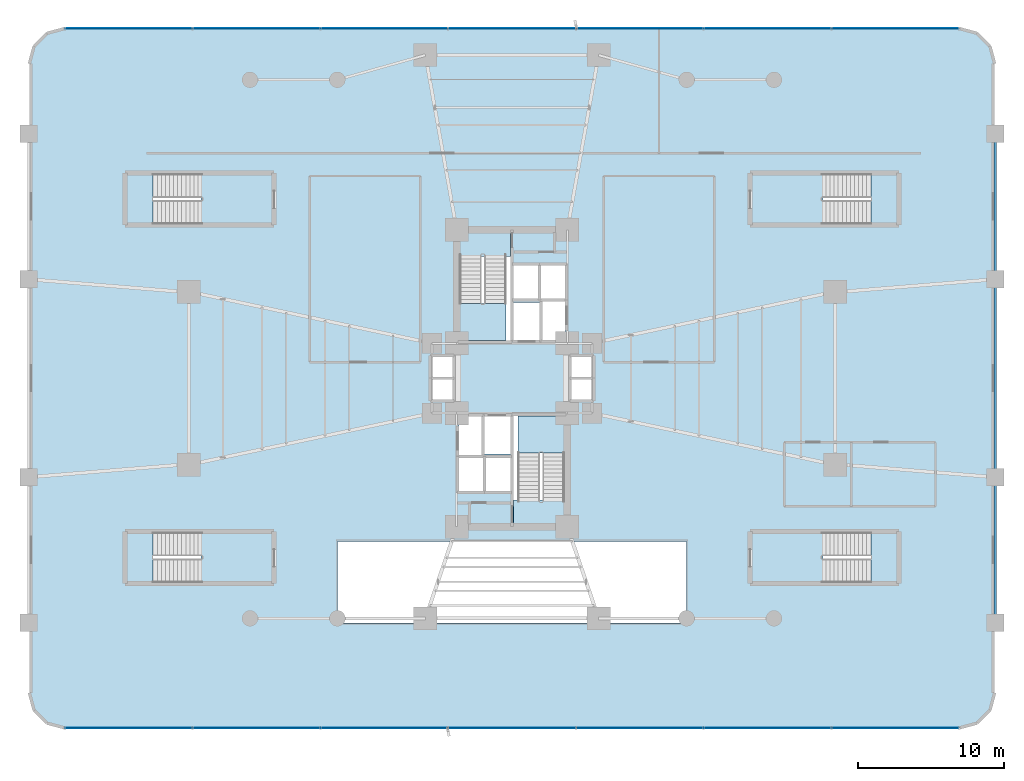
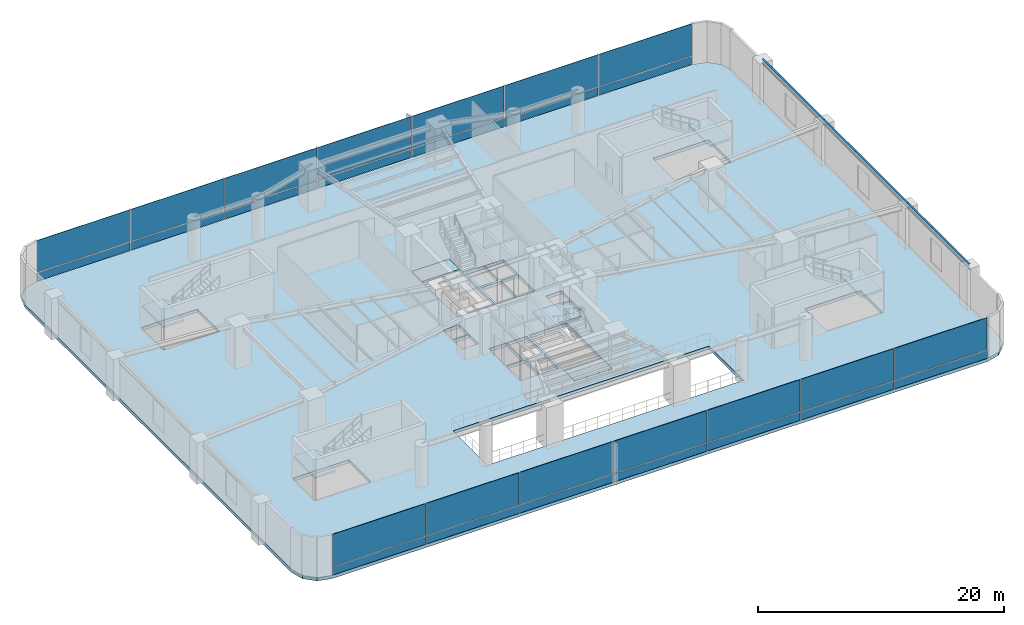
# One storey, part 13 of 23: 28 plates, 9 slabs, 3 beams, 8 elements without a shape of their own.
"""IFC4 building model written with IfcOpenShell, lengths in metres."""

import ifcopenshell
import ifcopenshell.guid

model = None  # the IFC model being written
_history = None  # IfcOwnerHistory: only IFC2X3 demands one
_inside = {}  # id of a spatial element -> (the spatial element, [elements in it])
_under = {}  # id of a project, library or spatial element -> (it, [spatial elements below it])
_declared = {}  # id of a project -> (the project, [libraries it declares])
_typed = {}  # id of a type object -> (the type object, [elements of that type])
_made_of = {}  # id of a material, layer set ... -> (it, [elements and type objects made of it])


def new_model(schema):
    """Start an empty IFC model of exactly this schema.

    Asked for "IFC4X3", IfcOpenShell would pick the latest addendum, in which some entities
    have other attributes; the version numbers below select the first issue.
    IFC2X3 requires an IfcOwnerHistory on every rooted entity: one is made here for all.
    """
    global model, _history
    if schema == "IFC4X3":
        model = ifcopenshell.file(schema_version=(4, 3, 0, 0))
    else:
        model = ifcopenshell.file(schema=schema)
    _inside.clear()
    _under.clear()
    _declared.clear()
    _typed.clear()
    _made_of.clear()
    _history = None
    if model.schema == "IFC2X3":
        org = make("IfcOrganization", Name="unknown")
        user = make(
            "IfcPersonAndOrganization",
            ThePerson=make("IfcPerson", FamilyName="unknown"),
            TheOrganization=org,
        )
        app = make(
            "IfcApplication",
            ApplicationDeveloper=org,
            Version="unknown",
            ApplicationFullName="unknown",
            ApplicationIdentifier="unknown",
        )
        _history = make(
            "IfcOwnerHistory",
            OwningUser=user,
            OwningApplication=app,
            ChangeAction="ADDED",
            CreationDate=0,
        )
    return model


def make(cls, **values):
    """One entity of the class cls with the attributes given. An attribute that is None is left unset."""
    return model.create_entity(
        cls, **{name: value for name, value in values.items() if value is not None}
    )


def rooted(cls, **values):
    """An entity with a GlobalId (a new one), such as an element, a storey or a relation."""
    return make(cls, GlobalId=ifcopenshell.guid.new(), OwnerHistory=_history, **values)


def si_unit(unit_type, name, prefix=None):
    """IfcSIUnit, for example si_unit("LENGTHUNIT", "METRE", prefix="MILLI")."""
    return make("IfcSIUnit", UnitType=unit_type, Prefix=prefix, Name=name)


def assignment(units):
    """IfcUnitAssignment: the units of a project."""
    return None if units is None else make("IfcUnitAssignment", Units=units)


def point(xyz):
    """IfcCartesianPoint."""
    return None if xyz is None else make("IfcCartesianPoint", Coordinates=xyz)


def direction(xyz):
    """IfcDirection."""
    return None if xyz is None else make("IfcDirection", DirectionRatios=xyz)


def frame(location, z_axis=None, x_axis=None):
    """IfcAxis2Placement3D, a coordinate frame: its origin and axes. An axis left out is left unset."""
    return make(
        "IfcAxis2Placement3D",
        Location=point(location),
        Axis=direction(z_axis),
        RefDirection=direction(x_axis),
    )


def frame_2d(location, x_axis=None):
    """IfcAxis2Placement2D, a coordinate frame in the plane: its origin and x axis."""
    return make(
        "IfcAxis2Placement2D", Location=point(location), RefDirection=direction(x_axis)
    )


def origin():
    """The frame at (0, 0, 0) with its axes left unset."""
    return frame((0.0, 0.0, 0.0))


def origin_2d():
    """The frame at (0, 0) in the plane with its x axis left unset."""
    return frame_2d((0.0, 0.0))


def place(relative_to, where):
    """IfcLocalPlacement: puts the frame where relative to a parent placement (None: the world)."""
    return make(
        "IfcLocalPlacement", PlacementRelTo=relative_to, RelativePlacement=where
    )


def context(
    kind, dimensions, precision=None, world=None, true_north=None, identifier=None
):
    """IfcGeometricRepresentationContext, for example the 3D "Model" context."""
    return make(
        "IfcGeometricRepresentationContext",
        ContextIdentifier=identifier,
        ContextType=kind,
        CoordinateSpaceDimension=dimensions,
        Precision=precision,
        WorldCoordinateSystem=world,
        TrueNorth=true_north,
    )


def subcontext(parent, identifier, kind, view, scale=None):
    """IfcGeometricRepresentationSubContext, for example "Body" below "Model"."""
    return make(
        "IfcGeometricRepresentationSubContext",
        ContextIdentifier=identifier,
        ContextType=kind,
        ParentContext=parent,
        TargetScale=scale,
        TargetView=view,
    )


def project(units=None, contexts=None):
    """IfcProject with its units and contexts."""
    return rooted(
        "IfcProject",
        Name="project",
        RepresentationContexts=contexts,
        UnitsInContext=assignment(units),
    )


def spatial(cls, under=None, at=None, **own):
    """A site, building, storey or space (cls), placed at a placement, below another one or the project."""
    s = rooted(cls, ObjectPlacement=at, **own)
    if under is not None:
        _under.setdefault(under.id(), (under, []))[1].append(s)
    return s


def polyline(points):
    """IfcPolyline through the points."""
    return make("IfcPolyline", Points=[point(p) for p in points])


def profile(cls, at=None, kind="AREA", **sizes):
    """A parametric profile (cls). Its sizes go by their IFC names, for example OverallWidth=200.0."""
    return make(cls, ProfileType=kind, Position=at, **sizes)


def rectangle(**sizes):
    """IfcRectangleProfileDef."""
    return profile("IfcRectangleProfileDef", **sizes)


def i_section(**sizes):
    """IfcIShapeProfileDef."""
    return profile("IfcIShapeProfileDef", **sizes)


def outline(outer, holes=None, kind="AREA"):
    """IfcArbitraryClosedProfileDef: a profile drawn as a closed curve; with holes, ...WithVoids."""
    if holes is None:
        return make("IfcArbitraryClosedProfileDef", ProfileType=kind, OuterCurve=outer)
    return make(
        "IfcArbitraryProfileDefWithVoids",
        ProfileType=kind,
        OuterCurve=outer,
        InnerCurves=holes,
    )


def extrude(swept, where, along, depth):
    """IfcExtrudedAreaSolid: the profile swept, set in the frame where, extruded along a direction by depth."""
    return make(
        "IfcExtrudedAreaSolid",
        SweptArea=swept,
        Position=where,
        ExtrudedDirection=direction(along),
        Depth=depth,
    )


def shape(context_of_items, identifier, shape_type, items):
    """IfcShapeRepresentation: the items that make up one representation, for example the "Body"."""
    return make(
        "IfcShapeRepresentation",
        ContextOfItems=context_of_items,
        RepresentationIdentifier=identifier,
        RepresentationType=shape_type,
        Items=items,
    )


def source(mapping_origin, context_of_items, identifier, shape_type, items):
    """IfcRepresentationMap: a shape defined once, which mapped items show again and again."""
    return make(
        "IfcRepresentationMap",
        MappingOrigin=mapping_origin,
        MappedRepresentation=shape(context_of_items, identifier, shape_type, items),
    )


def transform(
    local_origin,
    x_axis=None,
    y_axis=None,
    z_axis=None,
    scale=None,
    scale2=None,
    scale3=None,
    uniform=True,
):
    """IfcCartesianTransformationOperator3D, or its non-uniform kind. x_axis, y_axis, z_axis: its Axis1, 2, 3."""
    if uniform:
        return make(
            "IfcCartesianTransformationOperator3D",
            Axis1=direction(x_axis),
            Axis2=direction(y_axis),
            LocalOrigin=point(local_origin),
            Scale=scale,
            Axis3=direction(z_axis),
        )
    return make(
        "IfcCartesianTransformationOperator3DnonUniform",
        Axis1=direction(x_axis),
        Axis2=direction(y_axis),
        LocalOrigin=point(local_origin),
        Scale=scale,
        Axis3=direction(z_axis),
        Scale2=scale2,
        Scale3=scale3,
    )


def mapped(mapping_source, mapping_target):
    """IfcMappedItem: shows the shape of a source again, moved by a transform."""
    return make(
        "IfcMappedItem", MappingSource=mapping_source, MappingTarget=mapping_target
    )


def material(Name=None, Category=None):
    """IfcMaterial."""
    return make("IfcMaterial", Name=Name, Category=Category)


def layer(
    of_material, thickness, ventilated=None, Name=None, Category=None, Priority=None
):
    """IfcMaterialLayer: one layer of a wall or slab, of a material (None: an air gap)."""
    return make(
        "IfcMaterialLayer",
        Material=of_material,
        LayerThickness=thickness,
        IsVentilated=ventilated,
        Name=Name,
        Category=Category,
        Priority=Priority,
    )


def layer_set(layers, Name=None):
    """IfcMaterialLayerSet."""
    return make("IfcMaterialLayerSet", MaterialLayers=layers, LayerSetName=Name)


def material_profile(
    of_material, cross_section, Name=None, Category=None, Priority=None
):
    """IfcMaterialProfile: a cross section and its material."""
    return make(
        "IfcMaterialProfile",
        Name=Name,
        Material=of_material,
        Profile=cross_section,
        Priority=Priority,
        Category=Category,
    )


def profile_set(profiles, Name=None, composite=None):
    """IfcMaterialProfileSet."""
    return make(
        "IfcMaterialProfileSet",
        Name=Name,
        MaterialProfiles=profiles,
        CompositeProfile=composite,
    )


def made_of(thing, what):
    """Note that an element or type object is made of a material, layer set ...; save() writes the relation."""
    if what is not None:
        _made_of.setdefault(what.id(), (what, []))[1].append(thing)
    return thing


def type_object(cls, material=None, **own):
    """A type object (cls), such as IfcWallType, which elements share."""
    return made_of(rooted(cls, **own), material)


def element(
    cls,
    number,
    at=None,
    inside=None,
    cuts=None,
    type_object=None,
    material=None,
    context=None,
    identifier="Body",
    shape_type=None,
    held_by="IfcProductDefinitionShape",
    body=None,
    shapes=None,
    **own,
):
    """One element of the class cls, such as IfcWall. Its Tag is "e" and its number.

    at: its placement. inside: the storey or other place that contains it. cuts: it is an
    opening in that element (IfcRelVoidsElement). A single representation is given by context,
    identifier, shape_type and body (its items); several are given by shapes. held_by: the class
    of the entity that holds the representations. save() writes the other relations.
    """
    e = rooted(cls, Tag="e%d" % number, ObjectPlacement=at, **own)
    if body is not None:
        shapes = [shape(context, identifier, shape_type, body)]
    if shapes is not None:
        e.Representation = make(held_by, Representations=shapes)
    if inside is not None:
        _inside.setdefault(inside.id(), (inside, []))[1].append(e)
    if cuts is not None:
        rooted(
            "IfcRelVoidsElement", RelatingBuildingElement=cuts, RelatedOpeningElement=e
        )
    if type_object is not None:
        _typed.setdefault(type_object.id(), (type_object, []))[1].append(e)
    return made_of(e, material)


def aggregate(whole, parts):
    """IfcRelAggregates: a whole, such as a stair, and the parts it consists of."""
    return rooted("IfcRelAggregates", RelatingObject=whole, RelatedObjects=parts)


def save(model, path):
    """Write the relations noted so far, then the file.

    IfcRelAggregates (storeys below a building ...), IfcRelContainedInSpatialStructure (elements
    in a storey), IfcRelDefinesByType, IfcRelAssociatesMaterial and IfcRelDeclares: one each for
    every whole, place, type object, material and project.
    """
    for whole, parts in _under.values():
        aggregate(whole, parts)
    for where, things in _inside.values():
        rooted(
            "IfcRelContainedInSpatialStructure",
            RelatedElements=things,
            RelatingStructure=where,
        )
    for kind, things in _typed.values():
        rooted("IfcRelDefinesByType", RelatedObjects=things, RelatingType=kind)
    for what, things in _made_of.values():
        rooted("IfcRelAssociatesMaterial", RelatedObjects=things, RelatingMaterial=what)
    for by, libraries in _declared.values():
        rooted("IfcRelDeclares", RelatingContext=by, RelatedDefinitions=libraries)
    model.write(path)


model = new_model("IFC4")

# Units and contexts
model_context = context("Model", 3, precision=1e-05, world=origin(), true_north=direction((0.0, 1.0)))
body_context = subcontext(model_context, "Body", "Model", "MODEL_VIEW")
ifc_project = project(units=[si_unit("LENGTHUNIT", "METRE"), si_unit("AREAUNIT", "SQUARE_METRE"), si_unit("VOLUMEUNIT", "CUBIC_METRE"), si_unit("PLANEANGLEUNIT", "RADIAN"), si_unit("MASSUNIT", "GRAM", prefix="KILO")], contexts=[model_context])

# Site, building, storey
site_placement = place(None, origin())
site = spatial("IfcSite", under=ifc_project, at=site_placement, CompositionType="ELEMENT")
building_placement = place(site_placement, origin())
building = spatial("IfcBuilding", under=site, at=building_placement, Name="Sahyath Konkavel Grand Hotel", CompositionType="ELEMENT")
storey_placement = place(building_placement, frame((0.0, 0.0, 4.800048828125)))
storey = spatial("IfcBuildingStorey", under=building, at=storey_placement, Name="L01", CompositionType="ELEMENT", Elevation=4.800048828125)

# Beams
ifc_material_1 = material(Name="Steel E350", Category="steel")
ifc_material_profile = material_profile(ifc_material_1, i_section(OverallWidth=0.179931640625, OverallDepth=0.5, WebThickness=0.01025390625, FlangeThickness=0.01708984375, FilletRadius=0.01708984375, at=origin_2d()), Name="ISMB 500")
ifc_profile_set = profile_set([ifc_material_profile], Name="Steel E350")
beam_type = type_object("IfcBeamType", Name="BM-ISMB500", PredefinedType="BEAM", material=ifc_profile_set)
shared_shape_1 = source(origin(), body_context, "Body", "SweptSolid", [
    extrude(i_section(OverallWidth=0.179931640625, OverallDepth=0.5, WebThickness=0.01025390625, FlangeThickness=0.01708984375, FilletRadius=0.01708984375, at=origin_2d()), origin(), (0.0, 0.0, 1.0), 10.0),
])
for number, where, z_axis, x_axis, name in (
    (1, (33.199951171875, -16.800048828125, 3.849853515625), (0.0, 1.0, 0.0), (-1.0, 0.0, 0.0), "str:bm:L01:POD-09"),
    (2, (33.199951171875, 6.800048828125, 3.849853515625), (0.0, 1.0, 0.0), (-1.0, 0.0, 0.0), "str:bm:L01:POD-13"),
):
    element("IfcBeam", number, at=place(storey_placement, frame(where, z_axis=z_axis, x_axis=x_axis)), inside=storey, type_object=beam_type, Name=name, PredefinedType="BEAM", context=body_context, shape_type="MappedRepresentation", body=[
        mapped(shared_shape_1, transform((0.0, 0.0, 0.0), scale=1.0)),
    ])
shared_shape_2 = source(origin(), body_context, "Body", "SweptSolid", [
    extrude(i_section(OverallWidth=0.179931640625, OverallDepth=0.5, WebThickness=0.01025390625, FlangeThickness=0.01708984375, FilletRadius=0.01708984375, at=origin_2d()), origin(), (0.0, 0.0, 1.0), 13.60009765625),
])
beam_placement = place(storey_placement, frame((33.199951171875, -6.800048828125, 3.849853515625), z_axis=(0.0, 1.0, 0.0), x_axis=(-1.0, 0.0, 0.0)))
element("IfcBeam", 3, at=beam_placement, inside=storey, type_object=beam_type, Name="str:bm:L01:POD-11", PredefinedType="BEAM", context=body_context, shape_type="MappedRepresentation", body=[
    mapped(shared_shape_2, transform((0.0, 0.0, 0.0), scale=1.0)),
])

# Slab
ifc_material_2 = material(Name="Concrete C50/60", Category="concrete")
ifc_layer_1 = layer(ifc_material_2, 0.320068359375)
ifc_layer_set_1 = layer_set([ifc_layer_1], Name="Concrete C50/60")
slab_type_1 = type_object("IfcSlabType", Name="SLB-320", PredefinedType="FLOOR", material=ifc_layer_set_1)
slab_1_placement = place(storey_placement, frame((0.0, 0.0, -0.320068359375)))
element("IfcSlab", 4, at=slab_1_placement, inside=storey, type_object=slab_type_1, Name="L01 Structural Floor Slab", PredefinedType="FLOOR", context=body_context, shape_type="SweptSolid", body=[
    extrude(outline(polyline([(30.751953125, -24.012939453125), (31.951904296875, -23.69140625), (32.83056640625, -22.81298828125), (33.152099609375, -21.613037109375), (33.152099609375, 21.613037109375), (32.83056640625, 22.81298828125), (31.951904296875, 23.69140625), (30.751953125, 24.012939453125), (-30.751953125, 24.012939453125), (-31.951904296875, 23.69140625), (-32.83056640625, 22.81298828125), (-33.152099609375, 21.613037109375), (-33.152099609375, -21.613037109375), (-32.83056640625, -22.81298828125), (-31.951904296875, -23.69140625), (-30.751953125, -24.012939453125), (30.751953125, -24.012939453125)]), holes=[polyline([(-3.6201171875, 2.580078125), (-0.10009765625, 2.580078125), (-0.10009765625, 10.02001953125), (-3.6201171875, 10.02001953125), (-3.6201171875, 2.580078125)]), polyline([(0.10009765625, -10.02001953125), (3.6201171875, -10.02001953125), (3.6201171875, -2.580078125), (0.10009765625, -2.580078125), (0.10009765625, -10.02001953125)]), polyline([(-26.60009765625, 10.52001953125), (-21.35009765625, 10.52001953125), (-21.35009765625, 14.10009765625), (-26.60009765625, 14.10009765625), (-26.60009765625, 10.52001953125)]), polyline([(21.35009765625, 10.52001953125), (26.60009765625, 10.52001953125), (26.60009765625, 14.10009765625), (21.35009765625, 14.10009765625), (21.35009765625, 10.52001953125)]), polyline([(-26.60009765625, -14.10009765625), (-21.35009765625, -14.10009765625), (-21.35009765625, -10.52001953125), (-26.60009765625, -10.52001953125), (-26.60009765625, -14.10009765625)]), polyline([(21.35009765625, -14.10009765625), (26.60009765625, -14.10009765625), (26.60009765625, -10.52001953125), (21.35009765625, -10.52001953125), (21.35009765625, -14.10009765625)]), polyline([(-12.0, -16.800048828125), (12.0, -16.800048828125), (12.0, -11.199951171875), (-12.0, -11.199951171875), (-12.0, -16.800048828125)]), polyline([(0.10009765625, 2.60009765625), (1.949951171875, 2.60009765625), (1.949951171875, 5.199951171875), (0.10009765625, 5.199951171875), (0.10009765625, 2.60009765625)]), polyline([(-1.949951171875, -5.199951171875), (-0.10009765625, -5.199951171875), (-0.10009765625, -2.60009765625), (-1.949951171875, -2.60009765625), (-1.949951171875, -5.199951171875)]), polyline([(2.050048828125, 2.60009765625), (3.64990234375, 2.60009765625), (3.64990234375, 5.300048828125), (2.050048828125, 5.300048828125), (2.050048828125, 2.60009765625)]), polyline([(-3.64990234375, -5.300048828125), (-2.050048828125, -5.300048828125), (-2.050048828125, -2.60009765625), (-3.64990234375, -2.60009765625), (-3.64990234375, -5.300048828125)]), polyline([(0.10009765625, 5.449951171875), (1.85009765625, 5.449951171875), (1.85009765625, 7.75), (0.10009765625, 7.75), (0.10009765625, 5.449951171875)]), polyline([(1.949951171875, 5.449951171875), (3.64990234375, 5.449951171875), (3.64990234375, 7.75), (1.949951171875, 7.75), (1.949951171875, 5.449951171875)]), polyline([(-3.64990234375, -7.75), (-1.949951171875, -7.75), (-1.949951171875, -5.449951171875), (-3.64990234375, -5.449951171875), (-3.64990234375, -7.75)]), polyline([(-1.85009765625, -7.75), (-0.10009765625, -7.75), (-0.10009765625, -5.449951171875), (-1.85009765625, -5.449951171875), (-1.85009765625, -7.75)]), polyline([(4.050048828125, 0.080078125), (5.550048828125, 0.080078125), (5.550048828125, 1.5400390625), (4.050048828125, 1.5400390625), (4.050048828125, 0.080078125)]), polyline([(4.050048828125, -1.5400390625), (5.550048828125, -1.5400390625), (5.550048828125, -0.080078125), (4.050048828125, -0.080078125), (4.050048828125, -1.5400390625)]), polyline([(-5.550048828125, 0.080078125), (-4.050048828125, 0.080078125), (-4.050048828125, 1.5400390625), (-5.550048828125, 1.5400390625), (-5.550048828125, 0.080078125)]), polyline([(-5.550048828125, -1.5400390625), (-4.050048828125, -1.5400390625), (-4.050048828125, -0.080078125), (-5.550048828125, -0.080078125), (-5.550048828125, -1.5400390625)])]), origin(), (0.0, 0.0, 1.0), 0.320068359375),
])

# Stair, slab
ifc_material_3 = material(Name="Concrete C40/50", Category="concrete")
stair_type = type_object("IfcStairType", Name="STR-ST16-450", PredefinedType="HALF_TURN_STAIR", material=ifc_material_3)
stair_1_placement = place(storey_placement, origin())
stair_1 = element("IfcStair", 5, at=stair_1_placement, inside=storey, type_object=stair_type, Name="L01 North Core Smokeproof Exit Stair ST-1", PredefinedType="HALF_TURN_STAIR")
ifc_layer_2 = layer(ifc_material_3, 0.199951171875)
ifc_layer_set_2 = layer_set([ifc_layer_2], Name="Concrete C40/50")
slab_type_2 = type_object("IfcSlabType", Name="SLB-STAIR-LND", PredefinedType="LANDING", material=ifc_layer_set_2)
slab_2_placement = place(storey_placement, frame((0.0, 0.0, 2.050048828125)))
slab_2 = element("IfcSlab", 6, at=slab_2_placement, type_object=slab_type_2, Name="ST-1 landing 1", PredefinedType="LANDING", context=body_context, shape_type="SweptSolid", body=[
    extrude(outline(polyline([(-3.60009765625, 5.1201171875), (-3.60009765625, 2.60009765625), (-0.39990234375, 2.60009765625), (-0.39990234375, 5.1201171875), (-3.60009765625, 5.1201171875)])), origin(), (0.0, 0.0, 1.0), 0.199951171875),
])
aggregate(stair_1, [slab_2])

stair_2_placement = place(storey_placement, origin())
stair_2 = element("IfcStair", 7, at=stair_2_placement, inside=storey, type_object=stair_type, Name="L01 South Core Smokeproof Exit Stair ST-2", PredefinedType="HALF_TURN_STAIR")
slab_3_placement = place(storey_placement, frame((0.0, 0.0, 2.050048828125)))
slab_3 = element("IfcSlab", 8, at=slab_3_placement, type_object=slab_type_2, Name="ST-2 landing 1", PredefinedType="LANDING", context=body_context, shape_type="SweptSolid", body=[
    extrude(outline(polyline([(3.60009765625, -5.1201171875), (3.60009765625, -2.60009765625), (0.39990234375, -2.60009765625), (0.39990234375, -5.1201171875), (3.60009765625, -5.1201171875)])), origin(), (0.0, 0.0, 1.0), 0.199951171875),
])
aggregate(stair_2, [slab_3])

# Slabs
slab_4_placement = place(storey_placement, frame((0.0, 0.0, -0.199951171875)))
element("IfcSlab", 9, at=slab_4_placement, inside=storey, type_object=slab_type_2, Name="L01 Stair ST-1 Floor Landing Slab", PredefinedType="LANDING", context=body_context, shape_type="SweptSolid", body=[
    extrude(outline(polyline([(-3.6201171875, 8.35009765625), (-0.10009765625, 8.35009765625), (-0.10009765625, 10.02001953125), (-3.6201171875, 10.02001953125), (-3.6201171875, 8.35009765625)])), origin(), (0.0, 0.0, 1.0), 0.199951171875),
])
slab_5_placement = place(storey_placement, frame((0.0, 0.0, -0.199951171875)))
element("IfcSlab", 10, at=slab_5_placement, inside=storey, type_object=slab_type_2, Name="L01 Stair ST-2 Floor Landing Slab", PredefinedType="LANDING", context=body_context, shape_type="SweptSolid", body=[
    extrude(outline(polyline([(0.10009765625, -10.02001953125), (3.6201171875, -10.02001953125), (3.6201171875, -8.35009765625), (0.10009765625, -8.35009765625), (0.10009765625, -10.02001953125)])), origin(), (0.0, 0.0, 1.0), 0.199951171875),
])

# Stair, slab
stair_3_placement = place(storey_placement, origin())
stair_3 = element("IfcStair", 11, at=stair_3_placement, inside=storey, type_object=stair_type, Name="L01 Podium Protected Exit Stair ST-P1", PredefinedType="HALF_TURN_STAIR")
slab_6_placement = place(storey_placement, frame((0.0, 0.0, 2.050048828125)))
slab_6 = element("IfcSlab", 12, at=slab_6_placement, type_object=slab_type_2, Name="ST-P1 landing 1", PredefinedType="LANDING", context=body_context, shape_type="SweptSolid", body=[
    extrude(outline(polyline([(-24.64990234375, 14.0400390625), (-26.580078125, 14.0400390625), (-26.580078125, 10.580078125), (-24.64990234375, 10.580078125), (-24.64990234375, 14.0400390625)])), origin(), (0.0, 0.0, 1.0), 0.199951171875),
])
aggregate(stair_3, [slab_6])

stair_4_placement = place(storey_placement, origin())
stair_4 = element("IfcStair", 13, at=stair_4_placement, inside=storey, type_object=stair_type, Name="L01 Podium Protected Exit Stair ST-P2", PredefinedType="HALF_TURN_STAIR")
slab_7_placement = place(storey_placement, frame((0.0, 0.0, 2.050048828125)))
slab_7 = element("IfcSlab", 14, at=slab_7_placement, type_object=slab_type_2, Name="ST-P2 landing 1", PredefinedType="LANDING", context=body_context, shape_type="SweptSolid", body=[
    extrude(outline(polyline([(24.64990234375, 10.580078125), (26.580078125, 10.580078125), (26.580078125, 14.0400390625), (24.64990234375, 14.0400390625), (24.64990234375, 10.580078125)])), origin(), (0.0, 0.0, 1.0), 0.199951171875),
])
aggregate(stair_4, [slab_7])

stair_5_placement = place(storey_placement, origin())
stair_5 = element("IfcStair", 15, at=stair_5_placement, inside=storey, type_object=stair_type, Name="L01 Podium Protected Exit Stair ST-P3", PredefinedType="HALF_TURN_STAIR")
slab_8_placement = place(storey_placement, frame((0.0, 0.0, 2.050048828125)))
slab_8 = element("IfcSlab", 16, at=slab_8_placement, type_object=slab_type_2, Name="ST-P3 landing 1", PredefinedType="LANDING", context=body_context, shape_type="SweptSolid", body=[
    extrude(outline(polyline([(-24.64990234375, -10.580078125), (-26.580078125, -10.580078125), (-26.580078125, -14.0400390625), (-24.64990234375, -14.0400390625), (-24.64990234375, -10.580078125)])), origin(), (0.0, 0.0, 1.0), 0.199951171875),
])
aggregate(stair_5, [slab_8])

stair_6_placement = place(storey_placement, origin())
stair_6 = element("IfcStair", 17, at=stair_6_placement, inside=storey, type_object=stair_type, Name="L01 Podium Protected Exit Stair ST-P4", PredefinedType="HALF_TURN_STAIR")
slab_9_placement = place(storey_placement, frame((0.0, 0.0, 2.050048828125)))
slab_9 = element("IfcSlab", 18, at=slab_9_placement, type_object=slab_type_2, Name="ST-P4 landing 1", PredefinedType="LANDING", context=body_context, shape_type="SweptSolid", body=[
    extrude(outline(polyline([(24.64990234375, -14.0400390625), (26.580078125, -14.0400390625), (26.580078125, -10.580078125), (24.64990234375, -10.580078125), (24.64990234375, -14.0400390625)])), origin(), (0.0, 0.0, 1.0), 0.199951171875),
])
aggregate(stair_6, [slab_9])

# Curtain wall, plates
ifc_material_4 = material(Name="Anodised Bronze Aluminium & Low-E Glazing", Category="aluminium")
curtain_wall_type = type_object("IfcCurtainWallType", Name="CW-PODIUM", PredefinedType="NOTDEFINED", material=ifc_material_4)
curtain_wall_1_placement = place(storey_placement, origin())
curtain_wall_1 = element("IfcCurtainWall", 19, at=curtain_wall_1_placement, inside=storey, type_object=curtain_wall_type, Name="L01 Unitised Curtain Wall N", PredefinedType="NOTDEFINED")
ifc_material_5 = material(Name="Warm Buff Sandstone Cladding", Category="masonry")
ifc_layer_3 = layer(ifc_material_5, 0.074951171875)
ifc_layer_set_3 = layer_set([ifc_layer_3], Name="Warm Buff Sandstone Cladding")
plate_type_1 = type_object("IfcPlateType", Name="PNL-SPANDREL-STONE", PredefinedType="SHEET", material=ifc_layer_set_3)
shared_shape_3 = source(origin(), body_context, "Body", "SweptSolid", [
    extrude(rectangle(XDim=8.69482421875, YDim=0.074951171875, at=origin_2d()), origin(), (0.0, 0.0, 1.0), 0.77001953125),
])
plate_1_placement = place(storey_placement, frame((26.32470703125, 24.012939453125, 0.0400390625), z_axis=(0.0, 0.0, 1.0), x_axis=(-1.0, 0.0, 0.0)))
plate_1 = element("IfcPlate", 20, at=plate_1_placement, type_object=plate_type_1, Name="L01 Sandstone Relief Spandrel Panel N-0", PredefinedType="SHEET", context=body_context, shape_type="MappedRepresentation", body=[
    mapped(shared_shape_3, transform((0.0, 0.0, 0.0), scale=1.0)),
])
plate_2_placement = place(storey_placement, frame((17.5498046875, 24.012939453125, 0.0400390625), z_axis=(0.0, 0.0, 1.0), x_axis=(-1.0, 0.0, 0.0)))
plate_2 = element("IfcPlate", 21, at=plate_2_placement, type_object=plate_type_1, Name="L01 Sandstone Relief Spandrel Panel N-1", PredefinedType="SHEET", context=body_context, shape_type="MappedRepresentation", body=[
    mapped(shared_shape_3, transform((0.0, 0.0, 0.0), scale=1.0)),
])
plate_3_placement = place(storey_placement, frame((8.77490234375, 24.012939453125, 0.0400390625), z_axis=(0.0, 0.0, 1.0), x_axis=(-1.0, 0.0, 0.0)))
plate_3 = element("IfcPlate", 22, at=plate_3_placement, type_object=plate_type_1, Name="L01 Sandstone Relief Spandrel Panel N-2", PredefinedType="SHEET", context=body_context, shape_type="MappedRepresentation", body=[
    mapped(shared_shape_3, transform((0.0, 0.0, 0.0), scale=1.0)),
])
plate_4_placement = place(storey_placement, frame((0.0, 24.012939453125, 0.0400390625), z_axis=(0.0, 0.0, 1.0), x_axis=(-1.0, 0.0, 0.0)))
plate_4 = element("IfcPlate", 23, at=plate_4_placement, type_object=plate_type_1, Name="L01 Sandstone Relief Spandrel Panel N-3", PredefinedType="SHEET", context=body_context, shape_type="MappedRepresentation", body=[
    mapped(shared_shape_3, transform((0.0, 0.0, 0.0), scale=1.0)),
])
plate_5_placement = place(storey_placement, frame((-8.77490234375, 24.012939453125, 0.0400390625), z_axis=(0.0, 0.0, 1.0), x_axis=(-1.0, 0.0, 0.0)))
plate_5 = element("IfcPlate", 24, at=plate_5_placement, type_object=plate_type_1, Name="L01 Sandstone Relief Spandrel Panel N-4", PredefinedType="SHEET", context=body_context, shape_type="MappedRepresentation", body=[
    mapped(shared_shape_3, transform((0.0, 0.0, 0.0), scale=1.0)),
])
plate_6_placement = place(storey_placement, frame((-17.5498046875, 24.012939453125, 0.0400390625), z_axis=(0.0, 0.0, 1.0), x_axis=(-1.0, 0.0, 0.0)))
plate_6 = element("IfcPlate", 25, at=plate_6_placement, type_object=plate_type_1, Name="L01 Sandstone Relief Spandrel Panel N-5", PredefinedType="SHEET", context=body_context, shape_type="MappedRepresentation", body=[
    mapped(shared_shape_3, transform((0.0, 0.0, 0.0), scale=1.0)),
])
plate_7_placement = place(storey_placement, frame((-26.32470703125, 24.012939453125, 0.0400390625), z_axis=(0.0, 0.0, 1.0), x_axis=(-1.0, 0.0, 0.0)))
plate_7 = element("IfcPlate", 26, at=plate_7_placement, type_object=plate_type_1, Name="L01 Sandstone Relief Spandrel Panel N-6", PredefinedType="SHEET", context=body_context, shape_type="MappedRepresentation", body=[
    mapped(shared_shape_3, transform((0.0, 0.0, 0.0), scale=1.0)),
])

curtain_wall_2_placement = place(storey_placement, origin())
curtain_wall_2 = element("IfcCurtainWall", 27, at=curtain_wall_2_placement, inside=storey, type_object=curtain_wall_type, Name="L01 Unitised Curtain Wall S", PredefinedType="NOTDEFINED")
plate_8_placement = place(storey_placement, frame((-26.32470703125, -24.012939453125, 0.0400390625), z_axis=(0.0, 0.0, 1.0), x_axis=(1.0, 0.0, 0.0)))
plate_8 = element("IfcPlate", 28, at=plate_8_placement, type_object=plate_type_1, Name="L01 Sandstone Relief Spandrel Panel S-0", PredefinedType="SHEET", context=body_context, shape_type="MappedRepresentation", body=[
    mapped(shared_shape_3, transform((0.0, 0.0, 0.0), scale=1.0)),
])
plate_9_placement = place(storey_placement, frame((-17.5498046875, -24.012939453125, 0.0400390625), z_axis=(0.0, 0.0, 1.0), x_axis=(1.0, 0.0, 0.0)))
plate_9 = element("IfcPlate", 29, at=plate_9_placement, type_object=plate_type_1, Name="L01 Sandstone Relief Spandrel Panel S-1", PredefinedType="SHEET", context=body_context, shape_type="MappedRepresentation", body=[
    mapped(shared_shape_3, transform((0.0, 0.0, 0.0), scale=1.0)),
])
plate_10_placement = place(storey_placement, frame((-8.77490234375, -24.012939453125, 0.0400390625), z_axis=(0.0, 0.0, 1.0), x_axis=(1.0, 0.0, 0.0)))
plate_10 = element("IfcPlate", 30, at=plate_10_placement, type_object=plate_type_1, Name="L01 Sandstone Relief Spandrel Panel S-2", PredefinedType="SHEET", context=body_context, shape_type="MappedRepresentation", body=[
    mapped(shared_shape_3, transform((0.0, 0.0, 0.0), scale=1.0)),
])
plate_11_placement = place(storey_placement, frame((0.0, -24.012939453125, 0.0400390625), z_axis=(0.0, 0.0, 1.0), x_axis=(1.0, 0.0, 0.0)))
plate_11 = element("IfcPlate", 31, at=plate_11_placement, type_object=plate_type_1, Name="L01 Sandstone Relief Spandrel Panel S-3", PredefinedType="SHEET", context=body_context, shape_type="MappedRepresentation", body=[
    mapped(shared_shape_3, transform((0.0, 0.0, 0.0), scale=1.0)),
])
plate_12_placement = place(storey_placement, frame((8.77490234375, -24.012939453125, 0.0400390625), z_axis=(0.0, 0.0, 1.0), x_axis=(1.0, 0.0, 0.0)))
plate_12 = element("IfcPlate", 32, at=plate_12_placement, type_object=plate_type_1, Name="L01 Sandstone Relief Spandrel Panel S-4", PredefinedType="SHEET", context=body_context, shape_type="MappedRepresentation", body=[
    mapped(shared_shape_3, transform((0.0, 0.0, 0.0), scale=1.0)),
])
plate_13_placement = place(storey_placement, frame((17.5498046875, -24.012939453125, 0.0400390625), z_axis=(0.0, 0.0, 1.0), x_axis=(1.0, 0.0, 0.0)))
plate_13 = element("IfcPlate", 33, at=plate_13_placement, type_object=plate_type_1, Name="L01 Sandstone Relief Spandrel Panel S-5", PredefinedType="SHEET", context=body_context, shape_type="MappedRepresentation", body=[
    mapped(shared_shape_3, transform((0.0, 0.0, 0.0), scale=1.0)),
])
plate_14_placement = place(storey_placement, frame((26.32470703125, -24.012939453125, 0.0400390625), z_axis=(0.0, 0.0, 1.0), x_axis=(1.0, 0.0, 0.0)))
plate_14 = element("IfcPlate", 34, at=plate_14_placement, type_object=plate_type_1, Name="L01 Sandstone Relief Spandrel Panel S-6", PredefinedType="SHEET", context=body_context, shape_type="MappedRepresentation", body=[
    mapped(shared_shape_3, transform((0.0, 0.0, 0.0), scale=1.0)),
])

# Plate
ifc_material_6 = material(Name="Low-E Solar Control Double Glazing", Category="glass")
ifc_layer_4 = layer(ifc_material_6, 0.035888671875)
ifc_layer_set_4 = layer_set([ifc_layer_4], Name="Low-E Solar Control Double Glazing")
plate_type_2 = type_object("IfcPlateType", Name="PNL-VISION-LOWE", PredefinedType="CURTAIN_PANEL", material=ifc_layer_set_4)
shared_shape_4 = source(origin(), body_context, "Body", "SweptSolid", [
    extrude(rectangle(XDim=8.69482421875, YDim=0.035888671875, at=origin_2d()), origin(), (0.0, 0.0, 1.0), 3.169921875),
])
plate_15_placement = place(storey_placement, frame((26.32470703125, 24.012939453125, 0.889892578125), z_axis=(0.0, 0.0, 1.0), x_axis=(-1.0, 0.0, 0.0)))
plate_15 = element("IfcPlate", 35, at=plate_15_placement, type_object=plate_type_2, Name="L01 Low-E Vision Glazing Panel N-0", PredefinedType="CURTAIN_PANEL", context=body_context, shape_type="MappedRepresentation", body=[
    mapped(shared_shape_4, transform((0.0, 0.0, 0.0), scale=1.0)),
])

plate_16_placement = place(storey_placement, frame((17.5498046875, 24.012939453125, 0.889892578125), z_axis=(0.0, 0.0, 1.0), x_axis=(-1.0, 0.0, 0.0)))
plate_16 = element("IfcPlate", 36, at=plate_16_placement, type_object=plate_type_2, Name="L01 Low-E Vision Glazing Panel N-1", PredefinedType="CURTAIN_PANEL", context=body_context, shape_type="MappedRepresentation", body=[
    mapped(shared_shape_4, transform((0.0, 0.0, 0.0), scale=1.0)),
])

plate_17_placement = place(storey_placement, frame((8.77490234375, 24.012939453125, 0.889892578125), z_axis=(0.0, 0.0, 1.0), x_axis=(-1.0, 0.0, 0.0)))
plate_17 = element("IfcPlate", 37, at=plate_17_placement, type_object=plate_type_2, Name="L01 Low-E Vision Glazing Panel N-2", PredefinedType="CURTAIN_PANEL", context=body_context, shape_type="MappedRepresentation", body=[
    mapped(shared_shape_4, transform((0.0, 0.0, 0.0), scale=1.0)),
])

plate_18_placement = place(storey_placement, frame((0.0, 24.012939453125, 0.889892578125), z_axis=(0.0, 0.0, 1.0), x_axis=(-1.0, 0.0, 0.0)))
plate_18 = element("IfcPlate", 38, at=plate_18_placement, type_object=plate_type_2, Name="L01 Low-E Vision Glazing Panel N-3", PredefinedType="CURTAIN_PANEL", context=body_context, shape_type="MappedRepresentation", body=[
    mapped(shared_shape_4, transform((0.0, 0.0, 0.0), scale=1.0)),
])

plate_19_placement = place(storey_placement, frame((-8.77490234375, 24.012939453125, 0.889892578125), z_axis=(0.0, 0.0, 1.0), x_axis=(-1.0, 0.0, 0.0)))
plate_19 = element("IfcPlate", 39, at=plate_19_placement, type_object=plate_type_2, Name="L01 Low-E Vision Glazing Panel N-4", PredefinedType="CURTAIN_PANEL", context=body_context, shape_type="MappedRepresentation", body=[
    mapped(shared_shape_4, transform((0.0, 0.0, 0.0), scale=1.0)),
])

plate_20_placement = place(storey_placement, frame((-17.5498046875, 24.012939453125, 0.889892578125), z_axis=(0.0, 0.0, 1.0), x_axis=(-1.0, 0.0, 0.0)))
plate_20 = element("IfcPlate", 40, at=plate_20_placement, type_object=plate_type_2, Name="L01 Low-E Vision Glazing Panel N-5", PredefinedType="CURTAIN_PANEL", context=body_context, shape_type="MappedRepresentation", body=[
    mapped(shared_shape_4, transform((0.0, 0.0, 0.0), scale=1.0)),
])

plate_21_placement = place(storey_placement, frame((-26.32470703125, 24.012939453125, 0.889892578125), z_axis=(0.0, 0.0, 1.0), x_axis=(-1.0, 0.0, 0.0)))
plate_21 = element("IfcPlate", 41, at=plate_21_placement, type_object=plate_type_2, Name="L01 Low-E Vision Glazing Panel N-6", PredefinedType="CURTAIN_PANEL", context=body_context, shape_type="MappedRepresentation", body=[
    mapped(shared_shape_4, transform((0.0, 0.0, 0.0), scale=1.0)),
])

aggregate(curtain_wall_1, [plate_1, plate_15, plate_2, plate_16, plate_3, plate_17, plate_4, plate_18, plate_5, plate_19, plate_6, plate_20, plate_7, plate_21])

plate_22_placement = place(storey_placement, frame((-26.32470703125, -24.012939453125, 0.889892578125), z_axis=(0.0, 0.0, 1.0), x_axis=(1.0, 0.0, 0.0)))
plate_22 = element("IfcPlate", 42, at=plate_22_placement, type_object=plate_type_2, Name="L01 Low-E Vision Glazing Panel S-0", PredefinedType="CURTAIN_PANEL", context=body_context, shape_type="MappedRepresentation", body=[
    mapped(shared_shape_4, transform((0.0, 0.0, 0.0), scale=1.0)),
])

plate_23_placement = place(storey_placement, frame((-17.5498046875, -24.012939453125, 0.889892578125), z_axis=(0.0, 0.0, 1.0), x_axis=(1.0, 0.0, 0.0)))
plate_23 = element("IfcPlate", 43, at=plate_23_placement, type_object=plate_type_2, Name="L01 Low-E Vision Glazing Panel S-1", PredefinedType="CURTAIN_PANEL", context=body_context, shape_type="MappedRepresentation", body=[
    mapped(shared_shape_4, transform((0.0, 0.0, 0.0), scale=1.0)),
])

plate_24_placement = place(storey_placement, frame((-8.77490234375, -24.012939453125, 0.889892578125), z_axis=(0.0, 0.0, 1.0), x_axis=(1.0, 0.0, 0.0)))
plate_24 = element("IfcPlate", 44, at=plate_24_placement, type_object=plate_type_2, Name="L01 Low-E Vision Glazing Panel S-2", PredefinedType="CURTAIN_PANEL", context=body_context, shape_type="MappedRepresentation", body=[
    mapped(shared_shape_4, transform((0.0, 0.0, 0.0), scale=1.0)),
])

plate_25_placement = place(storey_placement, frame((0.0, -24.012939453125, 0.889892578125), z_axis=(0.0, 0.0, 1.0), x_axis=(1.0, 0.0, 0.0)))
plate_25 = element("IfcPlate", 45, at=plate_25_placement, type_object=plate_type_2, Name="L01 Low-E Vision Glazing Panel S-3", PredefinedType="CURTAIN_PANEL", context=body_context, shape_type="MappedRepresentation", body=[
    mapped(shared_shape_4, transform((0.0, 0.0, 0.0), scale=1.0)),
])

plate_26_placement = place(storey_placement, frame((8.77490234375, -24.012939453125, 0.889892578125), z_axis=(0.0, 0.0, 1.0), x_axis=(1.0, 0.0, 0.0)))
plate_26 = element("IfcPlate", 46, at=plate_26_placement, type_object=plate_type_2, Name="L01 Low-E Vision Glazing Panel S-4", PredefinedType="CURTAIN_PANEL", context=body_context, shape_type="MappedRepresentation", body=[
    mapped(shared_shape_4, transform((0.0, 0.0, 0.0), scale=1.0)),
])

plate_27_placement = place(storey_placement, frame((17.5498046875, -24.012939453125, 0.889892578125), z_axis=(0.0, 0.0, 1.0), x_axis=(1.0, 0.0, 0.0)))
plate_27 = element("IfcPlate", 47, at=plate_27_placement, type_object=plate_type_2, Name="L01 Low-E Vision Glazing Panel S-5", PredefinedType="CURTAIN_PANEL", context=body_context, shape_type="MappedRepresentation", body=[
    mapped(shared_shape_4, transform((0.0, 0.0, 0.0), scale=1.0)),
])

plate_28_placement = place(storey_placement, frame((26.32470703125, -24.012939453125, 0.889892578125), z_axis=(0.0, 0.0, 1.0), x_axis=(1.0, 0.0, 0.0)))
plate_28 = element("IfcPlate", 48, at=plate_28_placement, type_object=plate_type_2, Name="L01 Low-E Vision Glazing Panel S-6", PredefinedType="CURTAIN_PANEL", context=body_context, shape_type="MappedRepresentation", body=[
    mapped(shared_shape_4, transform((0.0, 0.0, 0.0), scale=1.0)),
])

aggregate(curtain_wall_2, [plate_8, plate_22, plate_9, plate_23, plate_10, plate_24, plate_11, plate_25, plate_12, plate_26, plate_13, plate_27, plate_14, plate_28])

save(model, "model.ifc")
